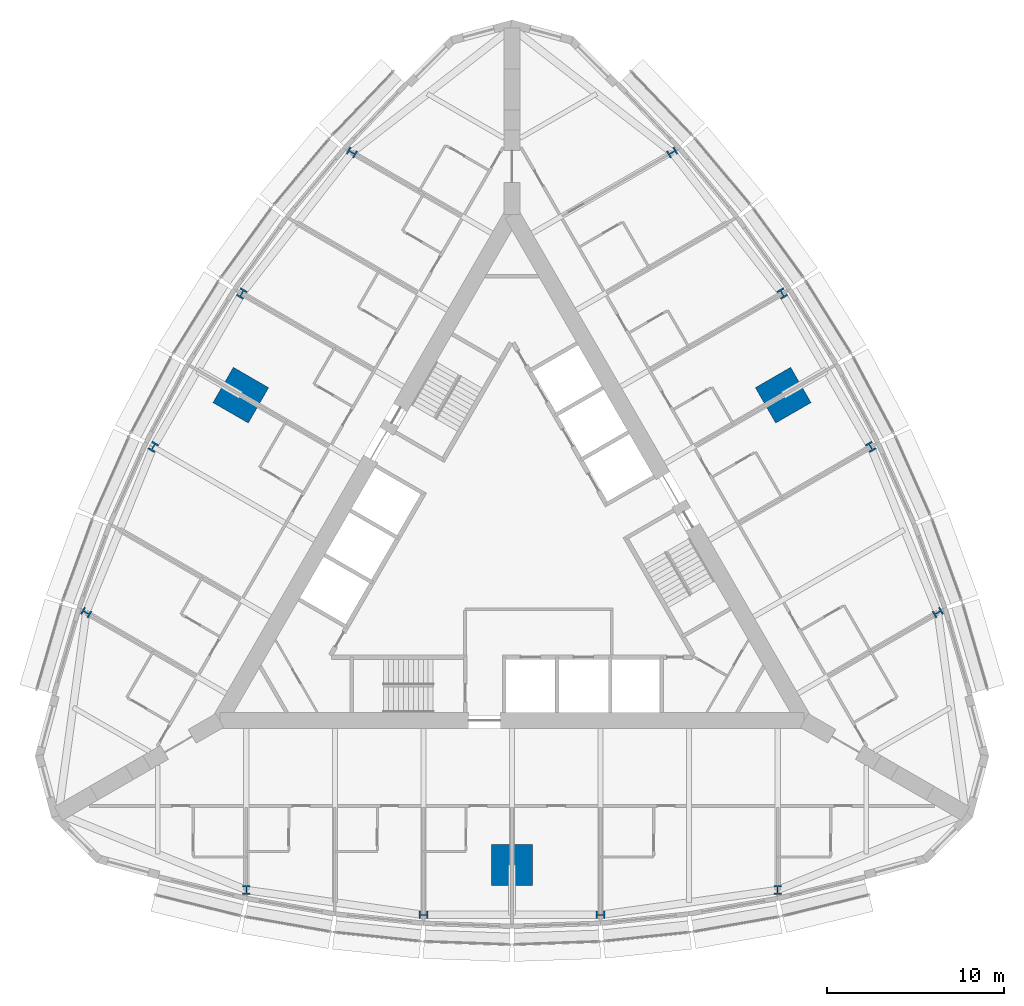
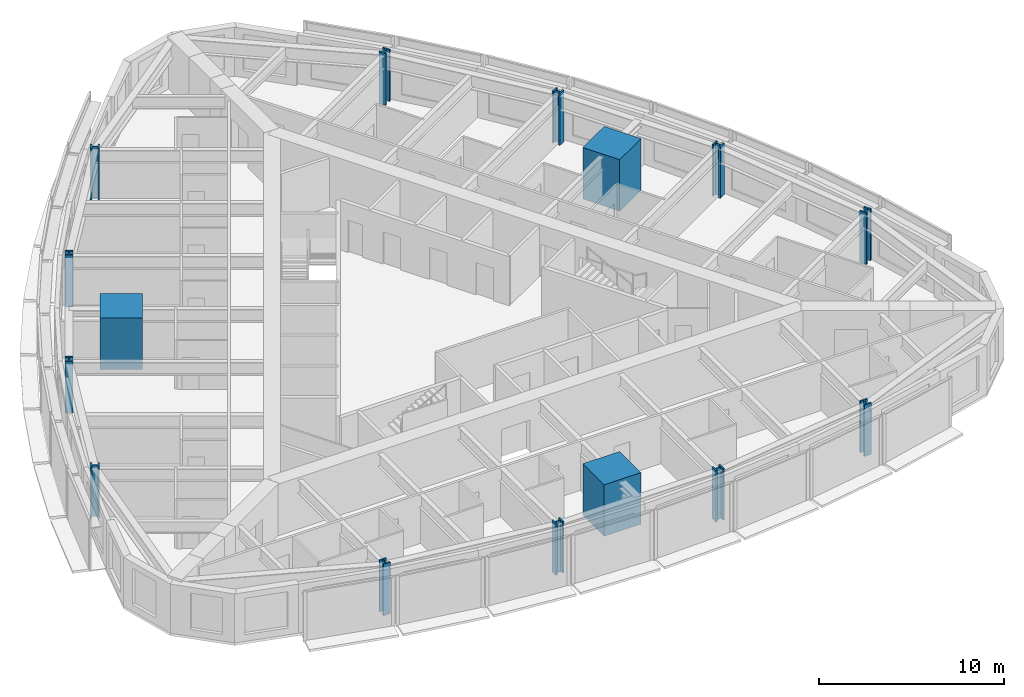
# One storey, part 1 of 14: 15 columns.
"""IFC4 building model written with IfcOpenShell, lengths in metres."""

from ifc_helpers import new_model, si_unit, direction, frame, origin, origin_2d, place, context, subcontext, project, spatial, rectangle, i_section, extrude, material, material_profile, profile_set, type_object, element, save


model = new_model("IFC4")

# Units and contexts
model_context = context("Model", 3, precision=1e-05, world=origin(), true_north=direction((0.0, 1.0)))
body_context = subcontext(model_context, "Body", "Model", "MODEL_VIEW")
ifc_project = project(units=[si_unit("LENGTHUNIT", "METRE"), si_unit("AREAUNIT", "SQUARE_METRE"), si_unit("VOLUMEUNIT", "CUBIC_METRE"), si_unit("PLANEANGLEUNIT", "RADIAN"), si_unit("MASSUNIT", "GRAM", prefix="KILO")], contexts=[model_context])

# Site, building, storey
site_placement = place(None, origin())
site = spatial("IfcSite", under=ifc_project, at=site_placement, CompositionType="ELEMENT")
building_placement = place(site_placement, origin())
building = spatial("IfcBuilding", under=site, at=building_placement, Name="Trikona Tower", CompositionType="ELEMENT")
storey_placement = place(building_placement, frame((0.0, 0.0, 121.5)))
storey = spatial("IfcBuildingStorey", under=building, at=storey_placement, Name="L31", CompositionType="ELEMENT", Elevation=121.5)

# Columns
ifc_material_1 = material(Name="Concrete f'c 10000 psi with encased steel section", Category="concrete")
ifc_material_profile_1 = material_profile(ifc_material_1, rectangle(XDim=2.300048828125, YDim=2.300048828125, at=origin_2d()), Name="MC2300")
ifc_profile_set_1 = profile_set([ifc_material_profile_1], Name="Concrete f'c 10000 psi with encased steel section")
column_type_1 = type_object("IfcColumnType", Name="Composite mega column 2300x2300", PredefinedType="COLUMN", material=ifc_profile_set_1)
for number, where, z_axis, x_axis, name in (
    (1, (0.0, -17.680419921875, 0.0), (0.0, 0.0, 1.0), (0.0, -1.0, 0.0), "Mega column MC1"),
    (2, (15.311767578125, 8.84033203125, 0.0), (0.0, 0.0, 1.0), (0.866025403784, 0.5, 0.0), "Mega column MC2"),
    (3, (-15.311767578125, 8.84033203125, 0.0), (0.0, 0.0, 1.0), (-0.866025403784, 0.5, 0.0), "Mega column MC3"),
):
    element("IfcColumn", number, at=place(storey_placement, frame(where, z_axis=z_axis, x_axis=x_axis)), inside=storey, type_object=column_type_1, Name=name, PredefinedType="COLUMN", context=body_context, shape_type="SweptSolid", body=[
        extrude(rectangle(XDim=2.300048828125, YDim=2.300048828125, at=origin_2d()), origin(), (0.0, 0.0, 1.0), 3.39990234375),
    ])
ifc_material_2 = material(Name="Steel ASTM A992 Grade 50", Category="steel")
ifc_material_profile_2 = material_profile(ifc_material_2, i_section(OverallWidth=0.436767578125, OverallDepth=0.51318359375, WebThickness=0.060546875, FlangeThickness=0.096923828125, at=origin_2d()), Name="W14X550")
ifc_profile_set_2 = profile_set([ifc_material_profile_2], Name="Steel ASTM A992 Grade 50")
column_type_2 = type_object("IfcColumnType", Name="Steel column W14x550", PredefinedType="COLUMN", material=ifc_profile_set_2)
for number, where, z_axis, x_axis, name in (
    (4, (-15.0, -19.10009765625, 0.0), (0.0, 0.0, 1.0), (1.0, 0.0, 0.0), "Column F0m15"),
    (5, (-5.0, -20.500244140625, 0.0), (0.0, 0.0, 1.0), (0.0, -1.0, 0.0), "Column F0m5"),
    (6, (5.0, -20.500244140625, 0.0), (0.0, 0.0, 1.0), (0.0, -1.0, 0.0), "Column F0p5"),
    (7, (15.0, -19.10009765625, 0.0), (0.0, 0.0, 1.0), (1.0, 0.0, 0.0), "Column F0p15"),
    (8, (24.041259765625, -3.440185546875, 0.0), (0.0, 0.0, 1.0), (-0.5, 0.866025403784, 0.0), "Column F1m15"),
    (9, (20.253662109375, 5.919921875, 0.0), (0.0, 0.0, 1.0), (0.866025403784, 0.5, 0.0), "Column F1m5"),
    (10, (15.253662109375, 14.580078125, 0.0), (0.0, 0.0, 1.0), (0.866025403784, 0.5, 0.0), "Column F1p5"),
    (11, (9.041259765625, 22.54052734375, 0.0), (0.0, 0.0, 1.0), (-0.5, 0.866025403784, 0.0), "Column F1p15"),
    (12, (-9.041259765625, 22.54052734375, 0.0), (0.0, 0.0, 1.0), (-0.5, -0.866025403784, 0.0), "Column F2m15"),
    (13, (-15.253662109375, 14.580078125, 0.0), (0.0, 0.0, 1.0), (-0.866025403784, 0.5, 0.0), "Column F2m5"),
    (14, (-20.253662109375, 5.919921875, 0.0), (0.0, 0.0, 1.0), (-0.866025403784, 0.5, 0.0), "Column F2p5"),
    (15, (-24.041259765625, -3.440185546875, 0.0), (0.0, 0.0, 1.0), (-0.5, -0.866025403784, 0.0), "Column F2p15"),
):
    element("IfcColumn", number, at=place(storey_placement, frame(where, z_axis=z_axis, x_axis=x_axis)), inside=storey, type_object=column_type_2, Name=name, PredefinedType="COLUMN", context=body_context, shape_type="SweptSolid", body=[
        extrude(i_section(OverallWidth=0.436767578125, OverallDepth=0.51318359375, WebThickness=0.060546875, FlangeThickness=0.096923828125, at=origin_2d()), origin(), (0.0, 0.0, 1.0), 3.39990234375),
    ])

save(model, "model.ifc")
